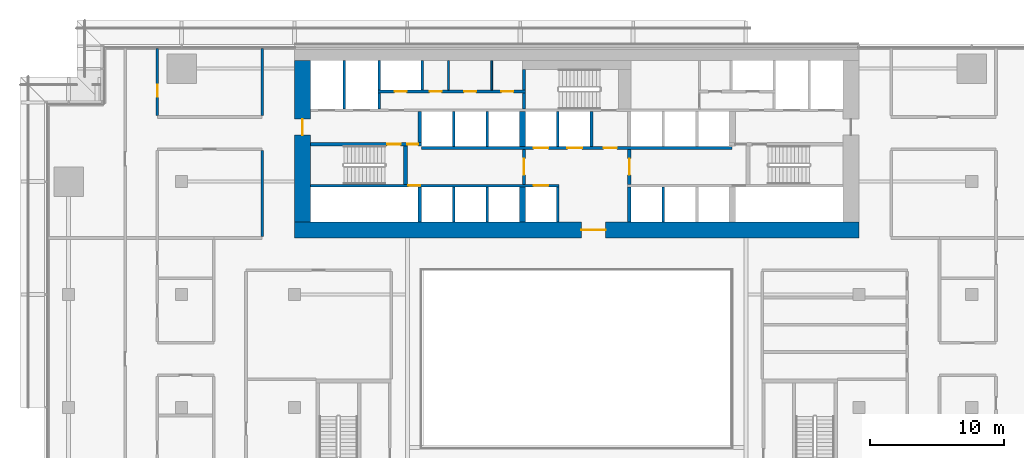
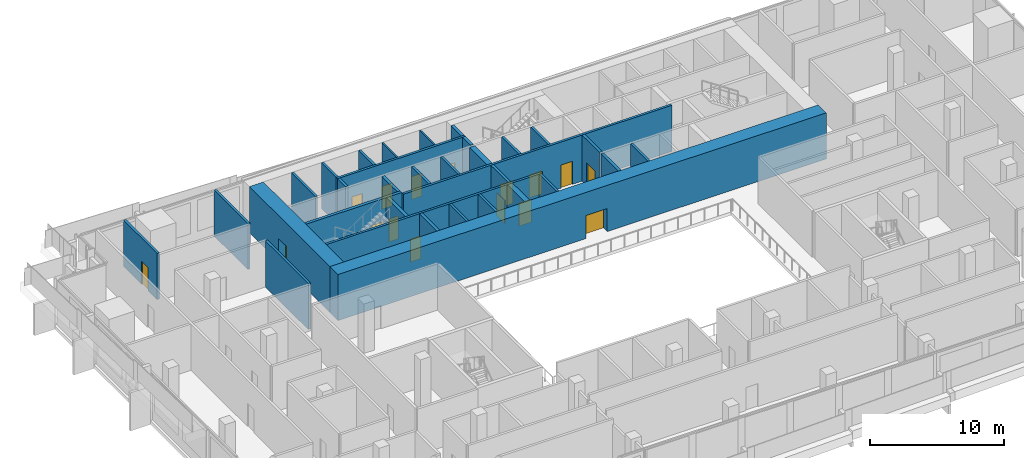
# One storey, part 15 of 24: 33 walls, 16 doors, 16 openings.
"""IFC4 building model written with IfcOpenShell, lengths in metres."""

from ifc_helpers import new_model, si_unit, direction, frame, frame_2d, origin, place, context, subcontext, project, spatial, rectangle, extrude, material, layer, layer_set, type_object, element, fill, save


model = new_model("IFC4")

# Units and contexts
model_context = context("Model", 3, precision=1e-05, world=origin(), true_north=direction((0.0, 1.0)))
body_context = subcontext(model_context, "Body", "Model", "MODEL_VIEW")
ifc_project = project(units=[si_unit("LENGTHUNIT", "METRE"), si_unit("AREAUNIT", "SQUARE_METRE"), si_unit("VOLUMEUNIT", "CUBIC_METRE"), si_unit("PLANEANGLEUNIT", "RADIAN"), si_unit("MASSUNIT", "GRAM", prefix="KILO")], contexts=[model_context])

# Site, building, storey
site_placement = place(None, origin())
site = spatial("IfcSite", under=ifc_project, at=site_placement, CompositionType="ELEMENT")
building_placement = place(site_placement, origin())
building = spatial("IfcBuilding", under=site, at=building_placement, Name="Saffron Gate Tower", CompositionType="ELEMENT")
storey_placement = place(building_placement, frame((0.0, 0.0, 28.199951171875)))
storey = spatial("IfcBuildingStorey", under=building, at=storey_placement, Name="L05", CompositionType="ELEMENT", Elevation=28.199951171875)

# Wall, opening, door
ifc_material_1 = material(Name="Concrete C70", Category="concrete")
ifc_layer_1 = layer(ifc_material_1, 1.199951171875)
ifc_layer_set_1 = layer_set([ifc_layer_1], Name="CW1 RC core wall 1200 C70")
wall_type_1 = type_object("IfcWallType", Name="CW1 RC core wall 1200 C70", PredefinedType="SOLIDWALL", material=ifc_layer_set_1)
wall_1_placement = place(storey_placement, frame((66.60009765625, 61.800048828125, 0.0), z_axis=(0.0, 0.0, 1.0), x_axis=(1.0, 0.0, 0.0)))
wall_1 = element("IfcWall", 1, at=wall_1_placement, inside=storey, type_object=wall_type_1, Name="Wall CW1-L05-1", PredefinedType="SOLIDWALL", context=body_context, shape_type="SweptSolid", body=[
    extrude(rectangle(XDim=42.0, YDim=1.199951171875, at=frame_2d((21.0, 0.0))), origin(), (0.0, 0.0, 1.0), 4.199951171875),
])
opening_1_placement = place(wall_1_placement, frame((21.35009765625, 0.0, 0.0)))
opening_1 = element("IfcOpeningElement", 2, at=opening_1_placement, cuts=wall_1, Name="Opening CR-09", PredefinedType="OPENING", context=body_context, shape_type="SweptSolid", body=[
    extrude(rectangle(XDim=1.800048828125, YDim=2.10009765625, at=frame_2d((0.89990234375, 1.050048828125))), frame((0.0, 0.60986328125, 0.0), z_axis=(0.0, -1.0, 0.0), x_axis=(1.0, 0.0, 0.0)), (0.0, 0.0, 1.0), 1.219970703125),
])
ifc_material_2 = material(Name="Steel fire door set", Category="steel")
door_type_1 = type_object("IfcDoorType", Name="CD1 Core entrance door 1800x2100 EI 120", OperationType="NOTDEFINED", PredefinedType="DOOR", material=ifc_material_2)
door_1_placement = place(opening_1_placement, origin())
door_1 = element("IfcDoor", 3, at=door_1_placement, inside=storey, type_object=door_type_1, Name="DOOR CR-09", OperationType="DOUBLE_DOOR_SINGLE_SWING", OverallHeight=2.10009765625, OverallWidth=1.800048828125, PredefinedType="DOOR", context=body_context, shape_type="SweptSolid", body=[
    extrude(rectangle(XDim=1.800048828125, YDim=2.10009765625, at=frame_2d((0.89990234375, 1.050048828125))), frame((0.0, 0.02490234375, 0.0), z_axis=(0.0, -1.0, 0.0), x_axis=(1.0, 0.0, 0.0)), (0.0, 0.0, 1.0), 0.050048828125),
])
fill(opening_1, door_1)

wall_2_placement = place(storey_placement, frame((67.199951171875, 62.39990234375, 0.0), z_axis=(0.0, 0.0, 1.0), x_axis=(0.0, 1.0, 0.0)))
wall_2 = element("IfcWall", 4, at=wall_2_placement, inside=storey, type_object=wall_type_1, Name="Wall CW1-L05-3", PredefinedType="SOLIDWALL", context=body_context, shape_type="SweptSolid", body=[
    extrude(rectangle(XDim=12.0, YDim=1.199951171875, at=frame_2d((6.0, 0.0))), origin(), (0.0, 0.0, 1.0), 4.199951171875),
])
opening_2_placement = place(wall_2_placement, frame((6.449951171875, 0.0, 0.0)))
opening_2 = element("IfcOpeningElement", 5, at=opening_2_placement, cuts=wall_2, Name="Opening CR-10", PredefinedType="OPENING", context=body_context, shape_type="SweptSolid", body=[
    extrude(rectangle(XDim=1.199951171875, YDim=2.10009765625, at=frame_2d((0.60009765625, 1.050048828125))), frame((0.0, 0.60986328125, 0.0), z_axis=(0.0, -1.0, 0.0), x_axis=(1.0, 0.0, 0.0)), (0.0, 0.0, 1.0), 1.219970703125),
])
door_type_2 = type_object("IfcDoorType", Name="CD7 Core entrance door 1200x2100 EI 120", OperationType="NOTDEFINED", PredefinedType="DOOR", material=ifc_material_2)
door_2_placement = place(opening_2_placement, origin())
door_2 = element("IfcDoor", 6, at=door_2_placement, inside=storey, type_object=door_type_2, Name="DOOR CR-10", OperationType="SINGLE_SWING_LEFT", OverallHeight=2.10009765625, OverallWidth=1.199951171875, PredefinedType="DOOR", context=body_context, shape_type="SweptSolid", body=[
    extrude(rectangle(XDim=1.199951171875, YDim=2.10009765625, at=frame_2d((0.60009765625, 1.050048828125))), frame((0.0, 0.02490234375, 0.0), z_axis=(0.0, -1.0, 0.0), x_axis=(1.0, 0.0, 0.0)), (0.0, 0.0, 1.0), 0.050048828125),
])
fill(opening_2, door_2)

# Walls
ifc_layer_2 = layer(ifc_material_1, 0.25)
ifc_layer_set_2 = layer_set([ifc_layer_2], Name="CW2 RC core wall 250 C70")
wall_type_2 = type_object("IfcWallType", Name="CW2 RC core wall 250 C70", PredefinedType="SOLIDWALL", material=ifc_layer_set_2)
for number, where, z_axis, x_axis, name in (
    (7, (75.925048828125, 62.39990234375, 0.0), (0.0, 0.0, 1.0), (0.0, 1.0, 0.0), "Wall CW2-L05-5"),
    (8, (91.52490234375, 62.39990234375, 0.0), (0.0, 0.0, 1.0), (0.0, 1.0, 0.0), "Wall CW2-L05-10"),
):
    element("IfcWall", number, at=place(storey_placement, frame(where, z_axis=z_axis, x_axis=x_axis)), inside=storey, type_object=wall_type_2, Name=name, PredefinedType="SOLIDWALL", context=body_context, shape_type="SweptSolid", body=[
        extrude(rectangle(XDim=2.60009765625, YDim=0.25, at=frame_2d((1.300048828125, 0.0))), origin(), (0.0, 0.0, 1.0), 4.199951171875),
    ])

# Wall, opening, door
wall_3_placement = place(storey_placement, frame((83.675048828125, 65.199951171875, 0.0), z_axis=(0.0, 0.0, 1.0), x_axis=(0.0, 1.0, 0.0)))
wall_3 = element("IfcWall", 9, at=wall_3_placement, inside=storey, type_object=wall_type_2, Name="Wall CW2-L05-17", PredefinedType="SOLIDWALL", context=body_context, shape_type="SweptSolid", body=[
    extrude(rectangle(XDim=2.60009765625, YDim=0.25, at=frame_2d((1.300048828125, 0.0))), origin(), (0.0, 0.0, 1.0), 4.199951171875),
])
opening_3_placement = place(wall_3_placement, frame((0.699951171875, 0.0, 0.0)))
opening_3 = element("IfcOpeningElement", 10, at=opening_3_placement, cuts=wall_3, Name="Opening CR-07", PredefinedType="OPENING", context=body_context, shape_type="SweptSolid", body=[
    extrude(rectangle(XDim=1.199951171875, YDim=2.10009765625, at=frame_2d((0.60009765625, 1.050048828125))), frame((0.0, 0.135009765625, 0.0), z_axis=(0.0, -1.0, 0.0), x_axis=(1.0, 0.0, 0.0)), (0.0, 0.0, 1.0), 0.27001953125),
])
door_type_3 = type_object("IfcDoorType", Name="CD3 Lobby door 1200x2100 EI 120", OperationType="NOTDEFINED", PredefinedType="DOOR", material=ifc_material_2)
door_3_placement = place(opening_3_placement, origin())
door_3 = element("IfcDoor", 11, at=door_3_placement, inside=storey, type_object=door_type_3, Name="DOOR CR-07", OperationType="SINGLE_SWING_RIGHT", OverallHeight=2.10009765625, OverallWidth=1.199951171875, PredefinedType="DOOR", context=body_context, shape_type="SweptSolid", body=[
    extrude(rectangle(XDim=1.199951171875, YDim=2.10009765625, at=frame_2d((0.60009765625, 1.050048828125))), frame((0.0, 0.02490234375, 0.0), z_axis=(0.0, -1.0, 0.0), x_axis=(1.0, 0.0, 0.0)), (0.0, 0.0, 1.0), 0.050048828125),
])
fill(opening_3, door_3)

wall_4_placement = place(storey_placement, frame((91.52490234375, 65.199951171875, 0.0), z_axis=(0.0, 0.0, 1.0), x_axis=(0.0, 1.0, 0.0)))
wall_4 = element("IfcWall", 12, at=wall_4_placement, inside=storey, type_object=wall_type_2, Name="Wall CW2-L05-18", PredefinedType="SOLIDWALL", context=body_context, shape_type="SweptSolid", body=[
    extrude(rectangle(XDim=2.60009765625, YDim=0.25, at=frame_2d((1.300048828125, 0.0))), origin(), (0.0, 0.0, 1.0), 4.199951171875),
])
opening_4_placement = place(wall_4_placement, frame((0.699951171875, 0.0, 0.0)))
opening_4 = element("IfcOpeningElement", 13, at=opening_4_placement, cuts=wall_4, Name="Opening CR-01", PredefinedType="OPENING", context=body_context, shape_type="SweptSolid", body=[
    extrude(rectangle(XDim=1.199951171875, YDim=2.10009765625, at=frame_2d((0.60009765625, 1.050048828125))), frame((0.0, 0.135009765625, 0.0), z_axis=(0.0, -1.0, 0.0), x_axis=(1.0, 0.0, 0.0)), (0.0, 0.0, 1.0), 0.27001953125),
])
door_4_placement = place(opening_4_placement, origin())
door_4 = element("IfcDoor", 14, at=door_4_placement, inside=storey, type_object=door_type_3, Name="DOOR CR-01", OperationType="SINGLE_SWING_RIGHT", OverallHeight=2.10009765625, OverallWidth=1.199951171875, PredefinedType="DOOR", context=body_context, shape_type="SweptSolid", body=[
    extrude(rectangle(XDim=1.199951171875, YDim=2.10009765625, at=frame_2d((0.60009765625, 1.050048828125))), frame((0.0, 0.02490234375, 0.0), z_axis=(0.0, -1.0, 0.0), x_axis=(1.0, 0.0, 0.0)), (0.0, 0.0, 1.0), 0.050048828125),
])
fill(opening_4, door_4)

# Wall, openings, doors
wall_5_placement = place(storey_placement, frame((67.800048828125, 68.175048828125, 0.0), z_axis=(0.0, 0.0, 1.0), x_axis=(1.0, 0.0, 0.0)))
wall_5 = element("IfcWall", 15, at=wall_5_placement, inside=storey, type_object=wall_type_2, Name="Wall CW2-L05-30", PredefinedType="SOLIDWALL", context=body_context, shape_type="SweptSolid", body=[
    extrude(rectangle(XDim=8.25, YDim=0.25, at=frame_2d((4.125, 0.0))), origin(), (0.0, 0.0, 1.0), 4.199951171875),
])
opening_5_placement = place(wall_5_placement, frame((5.699951171875, 0.0, 0.0)))
opening_5 = element("IfcOpeningElement", 16, at=opening_5_placement, cuts=wall_5, Name="Opening CR-15", PredefinedType="OPENING", context=body_context, shape_type="SweptSolid", body=[
    extrude(rectangle(XDim=1.0, YDim=2.10009765625, at=frame_2d((0.5, 1.050048828125))), frame((0.0, 0.135009765625, 0.0), z_axis=(0.0, -1.0, 0.0), x_axis=(1.0, 0.0, 0.0)), (0.0, 0.0, 1.0), 0.27001953125),
])
opening_6_placement = place(wall_5_placement, frame((7.199951171875, 0.0, 0.0)))
opening_6 = element("IfcOpeningElement", 17, at=opening_6_placement, cuts=wall_5, Name="Opening CR-06", PredefinedType="OPENING", context=body_context, shape_type="SweptSolid", body=[
    extrude(rectangle(XDim=0.800048828125, YDim=2.10009765625, at=frame_2d((0.39990234375, 1.050048828125))), frame((0.0, 0.135009765625, 0.0), z_axis=(0.0, -1.0, 0.0), x_axis=(1.0, 0.0, 0.0)), (0.0, 0.0, 1.0), 0.27001953125),
])
door_type_4 = type_object("IfcDoorType", Name="CD5 Stair door 1000x2100 EI 120", OperationType="NOTDEFINED", PredefinedType="DOOR", material=ifc_material_2)
door_5_placement = place(opening_5_placement, origin())
door_5 = element("IfcDoor", 18, at=door_5_placement, inside=storey, type_object=door_type_4, Name="DOOR CR-15", OperationType="SINGLE_SWING_RIGHT", OverallHeight=2.10009765625, OverallWidth=1.0, PredefinedType="DOOR", context=body_context, shape_type="SweptSolid", body=[
    extrude(rectangle(XDim=1.0, YDim=2.10009765625, at=frame_2d((0.5, 1.050048828125))), frame((0.0, 0.02490234375, 0.0), z_axis=(0.0, -1.0, 0.0), x_axis=(1.0, 0.0, 0.0)), (0.0, 0.0, 1.0), 0.050048828125),
])
fill(opening_5, door_5)
door_type_5 = type_object("IfcDoorType", Name="CD6 Lobby door 800x2100 EI 120", OperationType="NOTDEFINED", PredefinedType="DOOR", material=ifc_material_2)
door_6_placement = place(opening_6_placement, origin())
door_6 = element("IfcDoor", 19, at=door_6_placement, inside=storey, type_object=door_type_5, Name="DOOR CR-06", OperationType="SINGLE_SWING_LEFT", OverallHeight=2.10009765625, OverallWidth=0.800048828125, PredefinedType="DOOR", context=body_context, shape_type="SweptSolid", body=[
    extrude(rectangle(XDim=0.800048828125, YDim=2.10009765625, at=frame_2d((0.39990234375, 1.050048828125))), frame((0.0, 0.02490234375, 0.0), z_axis=(0.0, -1.0, 0.0), x_axis=(1.0, 0.0, 0.0)), (0.0, 0.0, 1.0), 0.050048828125),
])
fill(opening_6, door_6)

# Walls
wall_6_placement = place(storey_placement, frame((75.925048828125, 68.300048828125, 0.0), z_axis=(0.0, 0.0, 1.0), x_axis=(0.0, 1.0, 0.0)))
element("IfcWall", 20, at=wall_6_placement, inside=storey, type_object=wall_type_2, Name="Wall CW2-L05-32", PredefinedType="SOLIDWALL", context=body_context, shape_type="SweptSolid", body=[
    extrude(rectangle(XDim=2.300048828125, YDim=0.25, at=frame_2d((1.14990234375, 0.0))), origin(), (0.0, 0.0, 1.0), 4.199951171875),
])
wall_7_placement = place(storey_placement, frame((83.675048828125, 70.800048828125, 0.0), z_axis=(0.0, 0.0, 1.0), x_axis=(0.0, 1.0, 0.0)))
element("IfcWall", 21, at=wall_7_placement, inside=storey, type_object=wall_type_2, Name="Wall CW2-L05-37", PredefinedType="SOLIDWALL", context=body_context, shape_type="SweptSolid", body=[
    extrude(rectangle(XDim=1.199951171875, YDim=0.25, at=frame_2d((0.60009765625, 0.0))), origin(), (0.0, 0.0, 1.0), 4.199951171875),
])
wall_8_placement = place(storey_placement, frame((83.675048828125, 72.199951171875, 0.0), z_axis=(0.0, 0.0, 1.0), x_axis=(0.0, 1.0, 0.0)))
element("IfcWall", 22, at=wall_8_placement, inside=storey, type_object=wall_type_2, Name="Wall CW2-L05-48", PredefinedType="SOLIDWALL", context=body_context, shape_type="SweptSolid", body=[
    extrude(rectangle(XDim=1.550048828125, YDim=0.25, at=frame_2d((0.77490234375, 0.0))), origin(), (0.0, 0.0, 1.0), 4.199951171875),
])
ifc_layer_3 = layer(ifc_material_1, 0.199951171875)
ifc_layer_set_3 = layer_set([ifc_layer_3], Name="CW3 RC core wall 200 C70")
wall_type_3 = type_object("IfcWallType", Name="CW3 RC core wall 200 C70", PredefinedType="SOLIDWALL", material=ifc_layer_set_3)
for number, where, z_axis, x_axis, name in (
    (23, (78.449951171875, 62.39990234375, 0.0), (0.0, 0.0, 1.0), (0.0, 1.0, 0.0), "Wall CW3-L05-6"),
    (24, (80.949951171875, 62.39990234375, 0.0), (0.0, 0.0, 1.0), (0.0, 1.0, 0.0), "Wall CW3-L05-7"),
    (25, (86.199951171875, 62.39990234375, 0.0), (0.0, 0.0, 1.0), (0.0, 1.0, 0.0), "Wall CW3-L05-9"),
    (26, (94.050048828125, 62.39990234375, 0.0), (0.0, 0.0, 1.0), (0.0, 1.0, 0.0), "Wall CW3-L05-11"),
):
    element("IfcWall", number, at=place(storey_placement, frame(where, z_axis=z_axis, x_axis=x_axis)), inside=storey, type_object=wall_type_3, Name=name, PredefinedType="SOLIDWALL", context=body_context, shape_type="SweptSolid", body=[
        extrude(rectangle(XDim=2.60009765625, YDim=0.199951171875, at=frame_2d((1.300048828125, 0.0))), origin(), (0.0, 0.0, 1.0), 4.199951171875),
    ])

# Wall, openings, doors
wall_9_placement = place(storey_placement, frame((67.800048828125, 65.10009765625, 0.0), z_axis=(0.0, 0.0, 1.0), x_axis=(1.0, 0.0, 0.0)))
wall_9 = element("IfcWall", 27, at=wall_9_placement, inside=storey, type_object=wall_type_3, Name="Wall CW3-L05-14", PredefinedType="SOLIDWALL", context=body_context, shape_type="SweptSolid", body=[
    extrude(rectangle(XDim=18.5, YDim=0.199951171875, at=frame_2d((9.25, 0.0))), origin(), (0.0, 0.0, 1.0), 4.199951171875),
])
opening_7_placement = place(wall_9_placement, frame((7.27001953125, 0.0, 0.0)))
opening_7 = element("IfcOpeningElement", 28, at=opening_7_placement, cuts=wall_9, Name="Opening CR-49", PredefinedType="OPENING", context=body_context, shape_type="SweptSolid", body=[
    extrude(rectangle(XDim=0.89990234375, YDim=2.10009765625, at=frame_2d((0.449951171875, 1.050048828125))), frame((0.0, 0.10986328125, 0.0), z_axis=(0.0, -1.0, 0.0), x_axis=(1.0, 0.0, 0.0)), (0.0, 0.0, 1.0), 0.219970703125),
])
opening_8_placement = place(wall_9_placement, frame((16.60009765625, 0.0, 0.0)))
opening_8 = element("IfcOpeningElement", 29, at=opening_8_placement, cuts=wall_9, Name="Opening LD-SL3", PredefinedType="OPENING", context=body_context, shape_type="SweptSolid", body=[
    extrude(rectangle(XDim=1.10009765625, YDim=2.10009765625, at=frame_2d((0.550048828125, 1.050048828125))), frame((0.0, 0.10986328125, 0.0), z_axis=(0.0, -1.0, 0.0), x_axis=(1.0, 0.0, 0.0)), (0.0, 0.0, 1.0), 0.219970703125),
])
door_type_6 = type_object("IfcDoorType", Name="CD2 Riser door 900x2100 EI 60", OperationType="NOTDEFINED", PredefinedType="DOOR", material=ifc_material_2)
door_7_placement = place(opening_7_placement, origin())
door_7 = element("IfcDoor", 30, at=door_7_placement, inside=storey, type_object=door_type_6, Name="DOOR CR-49", OperationType="SINGLE_SWING_LEFT", OverallHeight=2.10009765625, OverallWidth=0.89990234375, PredefinedType="DOOR", context=body_context, shape_type="SweptSolid", body=[
    extrude(rectangle(XDim=0.89990234375, YDim=2.10009765625, at=frame_2d((0.449951171875, 1.050048828125))), frame((0.0, 0.02490234375, 0.0), z_axis=(0.0, -1.0, 0.0), x_axis=(1.0, 0.0, 0.0)), (0.0, 0.0, 1.0), 0.050048828125),
])
fill(opening_7, door_7)
ifc_material_3 = material(Name="Stainless steel landing door", Category="steel")
door_type_7 = type_object("IfcDoorType", Name="LD Lift landing door 1100x2100 EI 120", OperationType="SLIDING_TO_LEFT", PredefinedType="DOOR", material=ifc_material_3)
door_8_placement = place(opening_8_placement, origin())
door_8 = element("IfcDoor", 31, at=door_8_placement, inside=storey, type_object=door_type_7, Name="LANDING DOOR LD-SL3", OperationType="SLIDING_TO_LEFT", OverallHeight=2.10009765625, OverallWidth=1.10009765625, PredefinedType="DOOR", context=body_context, shape_type="SweptSolid", body=[
    extrude(rectangle(XDim=1.10009765625, YDim=2.10009765625, at=frame_2d((0.550048828125, 1.050048828125))), frame((0.0, 0.02490234375, 0.0), z_axis=(0.0, -1.0, 0.0), x_axis=(1.0, 0.0, 0.0)), (0.0, 0.0, 1.0), 0.050048828125),
])
fill(opening_8, door_8)

wall_10_placement = place(storey_placement, frame((76.050048828125, 67.89990234375, 0.0), z_axis=(0.0, 0.0, 1.0), x_axis=(1.0, 0.0, 0.0)))
wall_10 = element("IfcWall", 32, at=wall_10_placement, inside=storey, type_object=wall_type_3, Name="Wall CW3-L05-20", PredefinedType="SOLIDWALL", context=body_context, shape_type="SweptSolid", body=[
    extrude(rectangle(XDim=23.099853515625, YDim=0.199951171875, at=frame_2d((11.5498046875, 0.0))), origin(), (0.0, 0.0, 1.0), 4.199951171875),
])
opening_9_placement = place(wall_10_placement, frame((8.35009765625, 0.0, 0.0)))
opening_9 = element("IfcOpeningElement", 33, at=opening_9_placement, cuts=wall_10, Name="Opening LD-SL1", PredefinedType="OPENING", context=body_context, shape_type="SweptSolid", body=[
    extrude(rectangle(XDim=1.10009765625, YDim=2.10009765625, at=frame_2d((0.550048828125, 1.050048828125))), frame((0.0, 0.10986328125, 0.0), z_axis=(0.0, -1.0, 0.0), x_axis=(1.0, 0.0, 0.0)), (0.0, 0.0, 1.0), 0.219970703125),
])
opening_10_placement = place(wall_10_placement, frame((10.85009765625, 0.0, 0.0)))
opening_10 = element("IfcOpeningElement", 34, at=opening_10_placement, cuts=wall_10, Name="Opening LD-SL2", PredefinedType="OPENING", context=body_context, shape_type="SweptSolid", body=[
    extrude(rectangle(XDim=1.10009765625, YDim=2.10009765625, at=frame_2d((0.550048828125, 1.050048828125))), frame((0.0, 0.10986328125, 0.0), z_axis=(0.0, -1.0, 0.0), x_axis=(1.0, 0.0, 0.0)), (0.0, 0.0, 1.0), 0.219970703125),
])
opening_11_placement = place(wall_10_placement, frame((13.550048828125, 0.0, 0.0)))
opening_11 = element("IfcOpeningElement", 35, at=opening_11_placement, cuts=wall_10, Name="Opening CR-02", PredefinedType="OPENING", context=body_context, shape_type="SweptSolid", body=[
    extrude(rectangle(XDim=1.0, YDim=2.10009765625, at=frame_2d((0.5, 1.050048828125))), frame((0.0, 0.10986328125, 0.0), z_axis=(0.0, -1.0, 0.0), x_axis=(1.0, 0.0, 0.0)), (0.0, 0.0, 1.0), 0.219970703125),
])
door_type_8 = type_object("IfcDoorType", Name="CD4 Lobby door 1000x2100 EI 120", OperationType="NOTDEFINED", PredefinedType="DOOR", material=ifc_material_2)
door_9_placement = place(opening_11_placement, origin())
door_9 = element("IfcDoor", 36, at=door_9_placement, inside=storey, type_object=door_type_8, Name="DOOR CR-02", OperationType="SINGLE_SWING_LEFT", OverallHeight=2.10009765625, OverallWidth=1.0, PredefinedType="DOOR", context=body_context, shape_type="SweptSolid", body=[
    extrude(rectangle(XDim=1.0, YDim=2.10009765625, at=frame_2d((0.5, 1.050048828125))), frame((0.0, 0.02490234375, 0.0), z_axis=(0.0, -1.0, 0.0), x_axis=(1.0, 0.0, 0.0)), (0.0, 0.0, 1.0), 0.050048828125),
])
fill(opening_11, door_9)
door_10_placement = place(opening_9_placement, origin())
door_10 = element("IfcDoor", 37, at=door_10_placement, inside=storey, type_object=door_type_7, Name="LANDING DOOR LD-SL1", OperationType="SLIDING_TO_RIGHT", OverallHeight=2.10009765625, OverallWidth=1.10009765625, PredefinedType="DOOR", context=body_context, shape_type="SweptSolid", body=[
    extrude(rectangle(XDim=1.10009765625, YDim=2.10009765625, at=frame_2d((0.550048828125, 1.050048828125))), frame((0.0, 0.02490234375, 0.0), z_axis=(0.0, -1.0, 0.0), x_axis=(1.0, 0.0, 0.0)), (0.0, 0.0, 1.0), 0.050048828125),
])
fill(opening_9, door_10)
door_11_placement = place(opening_10_placement, origin())
door_11 = element("IfcDoor", 38, at=door_11_placement, inside=storey, type_object=door_type_7, Name="LANDING DOOR LD-SL2", OperationType="SLIDING_TO_RIGHT", OverallHeight=2.10009765625, OverallWidth=1.10009765625, PredefinedType="DOOR", context=body_context, shape_type="SweptSolid", body=[
    extrude(rectangle(XDim=1.10009765625, YDim=2.10009765625, at=frame_2d((0.550048828125, 1.050048828125))), frame((0.0, 0.02490234375, 0.0), z_axis=(0.0, -1.0, 0.0), x_axis=(1.0, 0.0, 0.0)), (0.0, 0.0, 1.0), 0.050048828125),
])
fill(opening_10, door_11)

# Walls
for number, where, z_axis, x_axis, name in (
    (39, (78.449951171875, 68.0, 0.0), (0.0, 0.0, 1.0), (0.0, 1.0, 0.0), "Wall CW3-L05-21"),
    (40, (80.949951171875, 68.0, 0.0), (0.0, 0.0, 1.0), (0.0, 1.0, 0.0), "Wall CW3-L05-22"),
    (41, (86.199951171875, 68.0, 0.0), (0.0, 0.0, 1.0), (0.0, 1.0, 0.0), "Wall CW3-L05-24"),
    (42, (88.699951171875, 68.0, 0.0), (0.0, 0.0, 1.0), (0.0, 1.0, 0.0), "Wall CW3-L05-25"),
):
    element("IfcWall", number, at=place(storey_placement, frame(where, z_axis=z_axis, x_axis=x_axis)), inside=storey, type_object=wall_type_3, Name=name, PredefinedType="SOLIDWALL", context=body_context, shape_type="SweptSolid", body=[
        extrude(rectangle(XDim=2.60009765625, YDim=0.199951171875, at=frame_2d((1.300048828125, 0.0))), origin(), (0.0, 0.0, 1.0), 4.199951171875),
    ])
wall_11_placement = place(storey_placement, frame((70.300048828125, 70.800048828125, 0.0), z_axis=(0.0, 0.0, 1.0), x_axis=(0.0, 1.0, 0.0)))
element("IfcWall", 43, at=wall_11_placement, inside=storey, type_object=wall_type_3, Name="Wall CW3-L05-35", PredefinedType="SOLIDWALL", context=body_context, shape_type="SweptSolid", body=[
    extrude(rectangle(XDim=3.599853515625, YDim=0.199951171875, at=frame_2d((1.7998046875, 0.0))), origin(), (0.0, 0.0, 1.0), 4.199951171875),
])
wall_12_placement = place(storey_placement, frame((72.89990234375, 70.800048828125, 0.0), z_axis=(0.0, 0.0, 1.0), x_axis=(0.0, 1.0, 0.0)))
element("IfcWall", 44, at=wall_12_placement, inside=storey, type_object=wall_type_3, Name="Wall CW3-L05-36", PredefinedType="SOLIDWALL", context=body_context, shape_type="SweptSolid", body=[
    extrude(rectangle(XDim=1.199951171875, YDim=0.199951171875, at=frame_2d((0.60009765625, 0.0))), origin(), (0.0, 0.0, 1.0), 4.199951171875),
])

# Wall, openings, doors
wall_13_placement = place(storey_placement, frame((72.800048828125, 72.10009765625, 0.0), z_axis=(0.0, 0.0, 1.0), x_axis=(1.0, 0.0, 0.0)))
wall_13 = element("IfcWall", 45, at=wall_13_placement, inside=storey, type_object=wall_type_3, Name="Wall CW3-L05-42", PredefinedType="SOLIDWALL", context=body_context, shape_type="SweptSolid", body=[
    extrude(rectangle(XDim=11.0, YDim=0.199951171875, at=frame_2d((5.5, 0.0))), origin(), (0.0, 0.0, 1.0), 4.199951171875),
])
opening_12_placement = place(wall_13_placement, frame((1.25, 0.0, 0.0)))
opening_12 = element("IfcOpeningElement", 46, at=opening_12_placement, cuts=wall_13, Name="Opening CR-71", PredefinedType="OPENING", context=body_context, shape_type="SweptSolid", body=[
    extrude(rectangle(XDim=0.89990234375, YDim=2.10009765625, at=frame_2d((0.449951171875, 1.050048828125))), frame((0.0, 0.10986328125, 0.0), z_axis=(0.0, -1.0, 0.0), x_axis=(1.0, 0.0, 0.0)), (0.0, 0.0, 1.0), 0.219970703125),
])
opening_13_placement = place(wall_13_placement, frame((3.85009765625, 0.0, 0.0)))
opening_13 = element("IfcOpeningElement", 47, at=opening_13_placement, cuts=wall_13, Name="Opening CR-55", PredefinedType="OPENING", context=body_context, shape_type="SweptSolid", body=[
    extrude(rectangle(XDim=0.89990234375, YDim=2.10009765625, at=frame_2d((0.449951171875, 1.050048828125))), frame((0.0, 0.10986328125, 0.0), z_axis=(0.0, -1.0, 0.0), x_axis=(1.0, 0.0, 0.0)), (0.0, 0.0, 1.0), 0.219970703125),
])
opening_14_placement = place(wall_13_placement, frame((6.419921875, 0.0, 0.0)))
opening_14 = element("IfcOpeningElement", 48, at=opening_14_placement, cuts=wall_13, Name="Opening CR-58", PredefinedType="OPENING", context=body_context, shape_type="SweptSolid", body=[
    extrude(rectangle(XDim=0.89990234375, YDim=2.10009765625, at=frame_2d((0.449951171875, 1.050048828125))), frame((0.0, 0.10986328125, 0.0), z_axis=(0.0, -1.0, 0.0), x_axis=(1.0, 0.0, 0.0)), (0.0, 0.0, 1.0), 0.219970703125),
])
opening_15_placement = place(wall_13_placement, frame((9.195068359375, 0.0, 0.0)))
opening_15 = element("IfcOpeningElement", 49, at=opening_15_placement, cuts=wall_13, Name="Opening CR-59", PredefinedType="OPENING", context=body_context, shape_type="SweptSolid", body=[
    extrude(rectangle(XDim=0.89990234375, YDim=2.10009765625, at=frame_2d((0.449951171875, 1.050048828125))), frame((0.0, 0.10986328125, 0.0), z_axis=(0.0, -1.0, 0.0), x_axis=(1.0, 0.0, 0.0)), (0.0, 0.0, 1.0), 0.219970703125),
])
door_12_placement = place(opening_12_placement, origin())
door_12 = element("IfcDoor", 50, at=door_12_placement, inside=storey, type_object=door_type_6, Name="DOOR CR-71", OperationType="SINGLE_SWING_LEFT", OverallHeight=2.10009765625, OverallWidth=0.89990234375, PredefinedType="DOOR", context=body_context, shape_type="SweptSolid", body=[
    extrude(rectangle(XDim=0.89990234375, YDim=2.10009765625, at=frame_2d((0.449951171875, 1.050048828125))), frame((0.0, 0.02490234375, 0.0), z_axis=(0.0, -1.0, 0.0), x_axis=(1.0, 0.0, 0.0)), (0.0, 0.0, 1.0), 0.050048828125),
])
fill(opening_12, door_12)
door_type_9 = type_object("IfcDoorType", Name="CD9 Room door 900x2100 EI 60", OperationType="NOTDEFINED", PredefinedType="DOOR", material=ifc_material_2)
door_13_placement = place(opening_13_placement, origin())
door_13 = element("IfcDoor", 51, at=door_13_placement, inside=storey, type_object=door_type_9, Name="DOOR CR-55", OperationType="SINGLE_SWING_LEFT", OverallHeight=2.10009765625, OverallWidth=0.89990234375, PredefinedType="DOOR", context=body_context, shape_type="SweptSolid", body=[
    extrude(rectangle(XDim=0.89990234375, YDim=2.10009765625, at=frame_2d((0.449951171875, 1.050048828125))), frame((0.0, 0.02490234375, 0.0), z_axis=(0.0, -1.0, 0.0), x_axis=(1.0, 0.0, 0.0)), (0.0, 0.0, 1.0), 0.050048828125),
])
fill(opening_13, door_13)
door_14_placement = place(opening_14_placement, origin())
door_14 = element("IfcDoor", 52, at=door_14_placement, inside=storey, type_object=door_type_9, Name="DOOR CR-58", OperationType="SINGLE_SWING_LEFT", OverallHeight=2.10009765625, OverallWidth=0.89990234375, PredefinedType="DOOR", context=body_context, shape_type="SweptSolid", body=[
    extrude(rectangle(XDim=0.89990234375, YDim=2.10009765625, at=frame_2d((0.449951171875, 1.050048828125))), frame((0.0, 0.02490234375, 0.0), z_axis=(0.0, -1.0, 0.0), x_axis=(1.0, 0.0, 0.0)), (0.0, 0.0, 1.0), 0.050048828125),
])
fill(opening_14, door_14)
door_15_placement = place(opening_15_placement, origin())
door_15 = element("IfcDoor", 53, at=door_15_placement, inside=storey, type_object=door_type_9, Name="DOOR CR-59", OperationType="SINGLE_SWING_LEFT", OverallHeight=2.10009765625, OverallWidth=0.89990234375, PredefinedType="DOOR", context=body_context, shape_type="SweptSolid", body=[
    extrude(rectangle(XDim=0.89990234375, YDim=2.10009765625, at=frame_2d((0.449951171875, 1.050048828125))), frame((0.0, 0.02490234375, 0.0), z_axis=(0.0, -1.0, 0.0), x_axis=(1.0, 0.0, 0.0)), (0.0, 0.0, 1.0), 0.050048828125),
])
fill(opening_15, door_15)

# Walls
for number, where, z_axis, x_axis, name in (
    (54, (72.89990234375, 72.199951171875, 0.0), (0.0, 0.0, 1.0), (0.0, 1.0, 0.0), "Wall CW3-L05-44"),
    (55, (76.10009765625, 72.199951171875, 0.0), (0.0, 0.0, 1.0), (0.0, 1.0, 0.0), "Wall CW3-L05-45"),
):
    element("IfcWall", number, at=place(storey_placement, frame(where, z_axis=z_axis, x_axis=x_axis)), inside=storey, type_object=wall_type_3, Name=name, PredefinedType="SOLIDWALL", context=body_context, shape_type="SweptSolid", body=[
        extrude(rectangle(XDim=2.199951171875, YDim=0.199951171875, at=frame_2d((1.10009765625, 0.0))), origin(), (0.0, 0.0, 1.0), 4.199951171875),
    ])
ifc_layer_4 = layer(ifc_material_1, 0.449951171875)
ifc_layer_set_4 = layer_set([ifc_layer_4], Name="CW4 RC core wall 450 C70")
wall_type_4 = type_object("IfcWallType", Name="CW4 RC core wall 450 C70", PredefinedType="SOLIDWALL", material=ifc_layer_set_4)
for number, where, z_axis, x_axis, name in (
    (56, (83.574951171875, 62.39990234375, 0.0), (0.0, 0.0, 1.0), (0.0, 1.0, 0.0), "Wall CW4-L05-8"),
    (57, (83.574951171875, 68.0, 0.0), (0.0, 0.0, 1.0), (0.0, 1.0, 0.0), "Wall CW4-L05-23"),
):
    element("IfcWall", number, at=place(storey_placement, frame(where, z_axis=z_axis, x_axis=x_axis)), inside=storey, type_object=wall_type_4, Name=name, PredefinedType="SOLIDWALL", context=body_context, shape_type="SweptSolid", body=[
        extrude(rectangle(XDim=2.60009765625, YDim=0.449951171875, at=frame_2d((1.300048828125, 0.0))), origin(), (0.0, 0.0, 1.0), 4.199951171875),
    ])
ifc_layer_5 = layer(ifc_material_1, 0.300048828125)
ifc_layer_set_5 = layer_set([ifc_layer_5], Name="CW5 RC core wall 300 C70")
wall_type_5 = type_object("IfcWallType", Name="CW5 RC core wall 300 C70", PredefinedType="SOLIDWALL", material=ifc_layer_set_5)
wall_14_placement = place(storey_placement, frame((74.85009765625, 65.199951171875, 0.0), z_axis=(0.0, 0.0, 1.0), x_axis=(0.0, 1.0, 0.0)))
element("IfcWall", 58, at=wall_14_placement, inside=storey, type_object=wall_type_5, Name="Wall CW5-L05-16", PredefinedType="SOLIDWALL", context=body_context, shape_type="SweptSolid", body=[
    extrude(rectangle(XDim=2.85009765625, YDim=0.300048828125, at=frame_2d((1.425048828125, 0.0))), origin(), (0.0, 0.0, 1.0), 4.199951171875),
])
ifc_material_4 = material(Name="Gypsum board partition on steel studs", Category="steel")
ifc_layer_6 = layer(ifc_material_4, 0.1201171875)
ifc_layer_set_6 = layer_set([ifc_layer_6], Name="CW8 Core partition 120")
wall_type_6 = type_object("IfcWallType", Name="CW8 Core partition 120", PredefinedType="PARTITIONING", material=ifc_layer_set_6)
for number, where, z_axis, x_axis, name in (
    (59, (78.06005859375, 72.199951171875, 0.0), (0.0, 0.0, 1.0), (0.0, 1.0, 0.0), "Wall CW8-L05-46"),
    (60, (81.280029296875, 72.199951171875, 0.0), (0.0, 0.0, 1.0), (0.0, 1.0, 0.0), "Wall CW8-L05-47"),
):
    element("IfcWall", number, at=place(storey_placement, frame(where, z_axis=z_axis, x_axis=x_axis)), inside=storey, type_object=wall_type_6, Name=name, PredefinedType="PARTITIONING", context=body_context, shape_type="SweptSolid", body=[
        extrude(rectangle(XDim=2.199951171875, YDim=0.1201171875, at=frame_2d((1.10009765625, 0.0))), origin(), (0.0, 0.0, 1.0), 4.199951171875),
    ])

# Wall, opening, door
ifc_material_5 = material(Name="Clay brick masonry, rendered", Category="masonry")
ifc_layer_7 = layer(ifc_material_5, 0.199951171875)
ifc_layer_set_7 = layer_set([ifc_layer_7], Name="PW3 Corridor wall 200")
wall_type_7 = type_object("IfcWallType", Name="PW3 Corridor wall 200", PredefinedType="PARTITIONING", material=ifc_layer_set_7)
wall_15_placement = place(storey_placement, frame((56.39990234375, 75.320068359375, 0.0), z_axis=(0.0, 0.0, 1.0), x_axis=(0.0, -1.0, 0.0)))
wall_15 = element("IfcWall", 61, at=wall_15_placement, inside=storey, type_object=wall_type_7, Name="Wall S2-55", PredefinedType="PARTITIONING", context=body_context, shape_type="SweptSolid", body=[
    extrude(rectangle(XDim=5.02001953125, YDim=0.199951171875, at=frame_2d((2.510009765625, 0.0))), origin(), (0.0, 0.0, 1.0), 4.199951171875),
])
opening_16_placement = place(wall_15_placement, frame((2.719970703125, 0.0, 0.0)))
opening_16 = element("IfcOpeningElement", 62, at=opening_16_placement, cuts=wall_15, Name="Opening S2-23", PredefinedType="OPENING", context=body_context, shape_type="SweptSolid", body=[
    extrude(rectangle(XDim=0.89990234375, YDim=2.10009765625, at=frame_2d((0.449951171875, 1.050048828125))), frame((0.0, 0.10986328125, 0.0), z_axis=(0.0, -1.0, 0.0), x_axis=(1.0, 0.0, 0.0)), (0.0, 0.0, 1.0), 0.219970703125),
])
ifc_material_6 = material(Name="Timber door set", Category="wood")
door_type_10 = type_object("IfcDoorType", Name="RD1 Room door 900x2100", OperationType="NOTDEFINED", PredefinedType="DOOR", material=ifc_material_6)
door_16_placement = place(opening_16_placement, origin())
door_16 = element("IfcDoor", 63, at=door_16_placement, inside=storey, type_object=door_type_10, Name="Door S2-23", OperationType="SINGLE_SWING_RIGHT", OverallHeight=2.10009765625, OverallWidth=0.89990234375, PredefinedType="DOOR", context=body_context, shape_type="SweptSolid", body=[
    extrude(rectangle(XDim=0.89990234375, YDim=2.10009765625, at=frame_2d((0.449951171875, 1.050048828125))), frame((0.0, 0.02490234375, 0.0), z_axis=(0.0, -1.0, 0.0), x_axis=(1.0, 0.0, 0.0)), (0.0, 0.0, 1.0), 0.050048828125),
])
fill(opening_16, door_16)

# Walls
wall_16_placement = place(storey_placement, frame((64.199951171875, 67.699951171875, 0.0), z_axis=(0.0, 0.0, 1.0), x_axis=(0.0, -1.0, 0.0)))
element("IfcWall", 64, at=wall_16_placement, inside=storey, type_object=wall_type_7, Name="Wall S2-61", PredefinedType="PARTITIONING", context=body_context, shape_type="SweptSolid", body=[
    extrude(rectangle(XDim=6.39990234375, YDim=0.199951171875, at=frame_2d((3.199951171875, 0.0))), origin(), (0.0, 0.0, 1.0), 4.199951171875),
])
wall_17_placement = place(storey_placement, frame((64.199951171875, 75.320068359375, 0.0), z_axis=(0.0, 0.0, 1.0), x_axis=(0.0, -1.0, 0.0)))
element("IfcWall", 65, at=wall_17_placement, inside=storey, type_object=wall_type_7, Name="Wall S2-62", PredefinedType="PARTITIONING", context=body_context, shape_type="SweptSolid", body=[
    extrude(rectangle(XDim=5.02001953125, YDim=0.199951171875, at=frame_2d((2.510009765625, 0.0))), origin(), (0.0, 0.0, 1.0), 4.199951171875),
])

save(model, "model.ifc")
